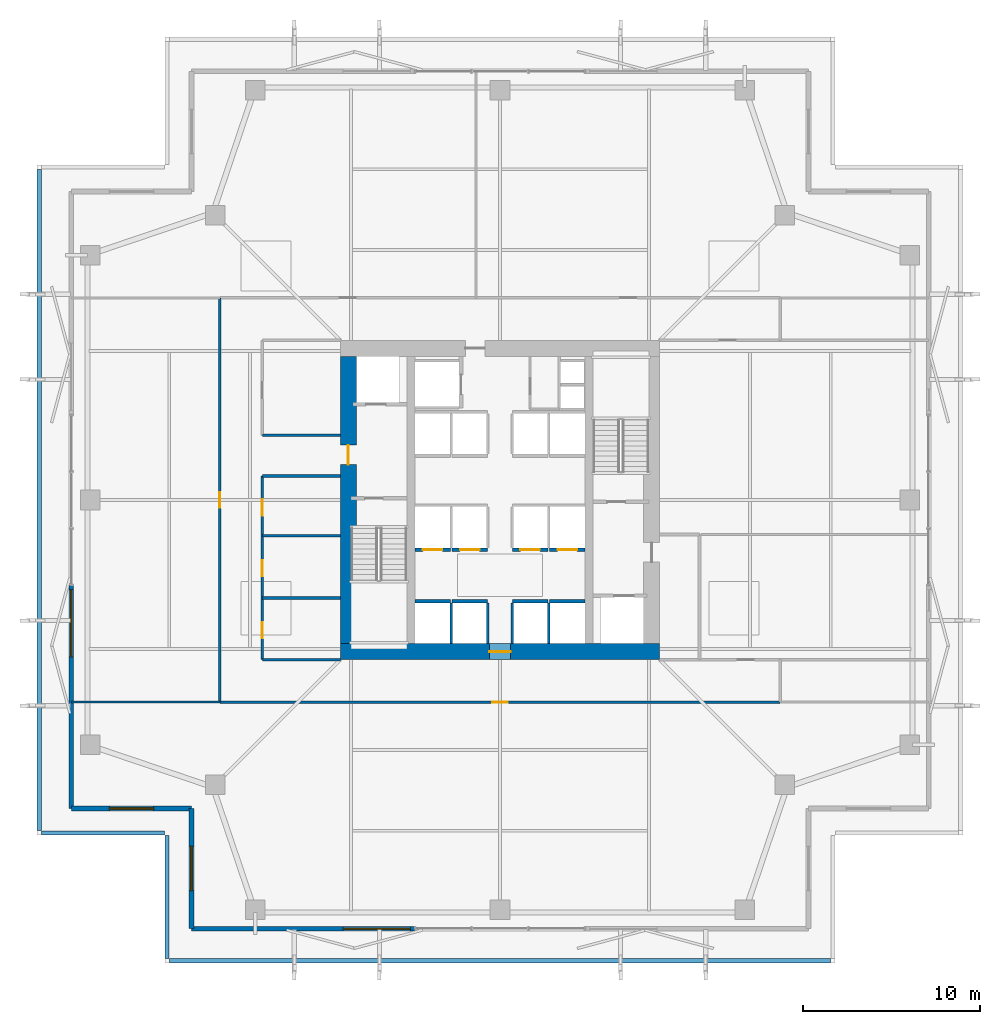
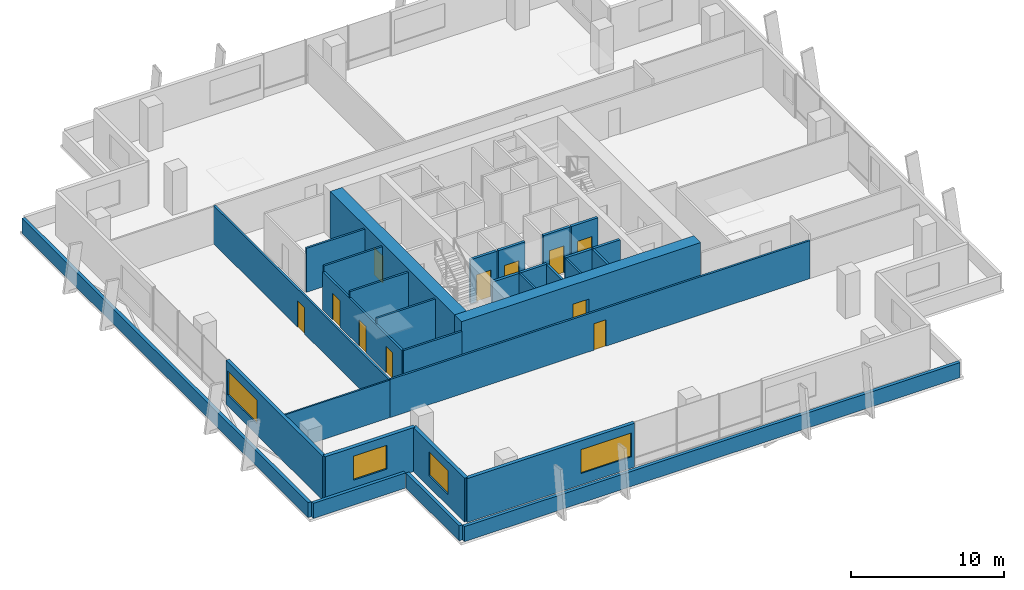
# One storey, part 12 of 16: 31 walls, 11 doors, 4 windows, 15 openings.
"""IFC4 building model written with IfcOpenShell, lengths in metres."""

import ifcopenshell
import ifcopenshell.guid

model = None  # the IFC model being written
_history = None  # IfcOwnerHistory: only IFC2X3 demands one
_inside = {}  # id of a spatial element -> (the spatial element, [elements in it])
_under = {}  # id of a project, library or spatial element -> (it, [spatial elements below it])
_declared = {}  # id of a project -> (the project, [libraries it declares])
_typed = {}  # id of a type object -> (the type object, [elements of that type])
_made_of = {}  # id of a material, layer set ... -> (it, [elements and type objects made of it])


def new_model(schema):
    """Start an empty IFC model of exactly this schema.

    Asked for "IFC4X3", IfcOpenShell would pick the latest addendum, in which some entities
    have other attributes; the version numbers below select the first issue.
    IFC2X3 requires an IfcOwnerHistory on every rooted entity: one is made here for all.
    """
    global model, _history
    if schema == "IFC4X3":
        model = ifcopenshell.file(schema_version=(4, 3, 0, 0))
    else:
        model = ifcopenshell.file(schema=schema)
    _inside.clear()
    _under.clear()
    _declared.clear()
    _typed.clear()
    _made_of.clear()
    _history = None
    if model.schema == "IFC2X3":
        org = make("IfcOrganization", Name="unknown")
        user = make(
            "IfcPersonAndOrganization",
            ThePerson=make("IfcPerson", FamilyName="unknown"),
            TheOrganization=org,
        )
        app = make(
            "IfcApplication",
            ApplicationDeveloper=org,
            Version="unknown",
            ApplicationFullName="unknown",
            ApplicationIdentifier="unknown",
        )
        _history = make(
            "IfcOwnerHistory",
            OwningUser=user,
            OwningApplication=app,
            ChangeAction="ADDED",
            CreationDate=0,
        )
    return model


def make(cls, **values):
    """One entity of the class cls with the attributes given. An attribute that is None is left unset."""
    return model.create_entity(
        cls, **{name: value for name, value in values.items() if value is not None}
    )


def rooted(cls, **values):
    """An entity with a GlobalId (a new one), such as an element, a storey or a relation."""
    return make(cls, GlobalId=ifcopenshell.guid.new(), OwnerHistory=_history, **values)


def si_unit(unit_type, name, prefix=None):
    """IfcSIUnit, for example si_unit("LENGTHUNIT", "METRE", prefix="MILLI")."""
    return make("IfcSIUnit", UnitType=unit_type, Prefix=prefix, Name=name)


def assignment(units):
    """IfcUnitAssignment: the units of a project."""
    return None if units is None else make("IfcUnitAssignment", Units=units)


def point(xyz):
    """IfcCartesianPoint."""
    return None if xyz is None else make("IfcCartesianPoint", Coordinates=xyz)


def direction(xyz):
    """IfcDirection."""
    return None if xyz is None else make("IfcDirection", DirectionRatios=xyz)


def frame(location, z_axis=None, x_axis=None):
    """IfcAxis2Placement3D, a coordinate frame: its origin and axes. An axis left out is left unset."""
    return make(
        "IfcAxis2Placement3D",
        Location=point(location),
        Axis=direction(z_axis),
        RefDirection=direction(x_axis),
    )


def frame_2d(location, x_axis=None):
    """IfcAxis2Placement2D, a coordinate frame in the plane: its origin and x axis."""
    return make(
        "IfcAxis2Placement2D", Location=point(location), RefDirection=direction(x_axis)
    )


def origin():
    """The frame at (0, 0, 0) with its axes left unset."""
    return frame((0.0, 0.0, 0.0))


def place(relative_to, where):
    """IfcLocalPlacement: puts the frame where relative to a parent placement (None: the world)."""
    return make(
        "IfcLocalPlacement", PlacementRelTo=relative_to, RelativePlacement=where
    )


def context(
    kind, dimensions, precision=None, world=None, true_north=None, identifier=None
):
    """IfcGeometricRepresentationContext, for example the 3D "Model" context."""
    return make(
        "IfcGeometricRepresentationContext",
        ContextIdentifier=identifier,
        ContextType=kind,
        CoordinateSpaceDimension=dimensions,
        Precision=precision,
        WorldCoordinateSystem=world,
        TrueNorth=true_north,
    )


def subcontext(parent, identifier, kind, view, scale=None):
    """IfcGeometricRepresentationSubContext, for example "Body" below "Model"."""
    return make(
        "IfcGeometricRepresentationSubContext",
        ContextIdentifier=identifier,
        ContextType=kind,
        ParentContext=parent,
        TargetScale=scale,
        TargetView=view,
    )


def project(units=None, contexts=None):
    """IfcProject with its units and contexts."""
    return rooted(
        "IfcProject",
        Name="project",
        RepresentationContexts=contexts,
        UnitsInContext=assignment(units),
    )


def spatial(cls, under=None, at=None, **own):
    """A site, building, storey or space (cls), placed at a placement, below another one or the project."""
    s = rooted(cls, ObjectPlacement=at, **own)
    if under is not None:
        _under.setdefault(under.id(), (under, []))[1].append(s)
    return s


def profile(cls, at=None, kind="AREA", **sizes):
    """A parametric profile (cls). Its sizes go by their IFC names, for example OverallWidth=200.0."""
    return make(cls, ProfileType=kind, Position=at, **sizes)


def rectangle(**sizes):
    """IfcRectangleProfileDef."""
    return profile("IfcRectangleProfileDef", **sizes)


def extrude(swept, where, along, depth):
    """IfcExtrudedAreaSolid: the profile swept, set in the frame where, extruded along a direction by depth."""
    return make(
        "IfcExtrudedAreaSolid",
        SweptArea=swept,
        Position=where,
        ExtrudedDirection=direction(along),
        Depth=depth,
    )


def shape(context_of_items, identifier, shape_type, items):
    """IfcShapeRepresentation: the items that make up one representation, for example the "Body"."""
    return make(
        "IfcShapeRepresentation",
        ContextOfItems=context_of_items,
        RepresentationIdentifier=identifier,
        RepresentationType=shape_type,
        Items=items,
    )


def material(Name=None, Category=None):
    """IfcMaterial."""
    return make("IfcMaterial", Name=Name, Category=Category)


def layer(
    of_material, thickness, ventilated=None, Name=None, Category=None, Priority=None
):
    """IfcMaterialLayer: one layer of a wall or slab, of a material (None: an air gap)."""
    return make(
        "IfcMaterialLayer",
        Material=of_material,
        LayerThickness=thickness,
        IsVentilated=ventilated,
        Name=Name,
        Category=Category,
        Priority=Priority,
    )


def layer_set(layers, Name=None):
    """IfcMaterialLayerSet."""
    return make("IfcMaterialLayerSet", MaterialLayers=layers, LayerSetName=Name)


def made_of(thing, what):
    """Note that an element or type object is made of a material, layer set ...; save() writes the relation."""
    if what is not None:
        _made_of.setdefault(what.id(), (what, []))[1].append(thing)
    return thing


def type_object(cls, material=None, **own):
    """A type object (cls), such as IfcWallType, which elements share."""
    return made_of(rooted(cls, **own), material)


def element(
    cls,
    number,
    at=None,
    inside=None,
    cuts=None,
    type_object=None,
    material=None,
    context=None,
    identifier="Body",
    shape_type=None,
    held_by="IfcProductDefinitionShape",
    body=None,
    shapes=None,
    **own,
):
    """One element of the class cls, such as IfcWall. Its Tag is "e" and its number.

    at: its placement. inside: the storey or other place that contains it. cuts: it is an
    opening in that element (IfcRelVoidsElement). A single representation is given by context,
    identifier, shape_type and body (its items); several are given by shapes. held_by: the class
    of the entity that holds the representations. save() writes the other relations.
    """
    e = rooted(cls, Tag="e%d" % number, ObjectPlacement=at, **own)
    if body is not None:
        shapes = [shape(context, identifier, shape_type, body)]
    if shapes is not None:
        e.Representation = make(held_by, Representations=shapes)
    if inside is not None:
        _inside.setdefault(inside.id(), (inside, []))[1].append(e)
    if cuts is not None:
        rooted(
            "IfcRelVoidsElement", RelatingBuildingElement=cuts, RelatedOpeningElement=e
        )
    if type_object is not None:
        _typed.setdefault(type_object.id(), (type_object, []))[1].append(e)
    return made_of(e, material)


def fill(opening, filler):
    """IfcRelFillsElement: the door or window that sits in an opening."""
    return rooted(
        "IfcRelFillsElement",
        RelatingOpeningElement=opening,
        RelatedBuildingElement=filler,
    )


def aggregate(whole, parts):
    """IfcRelAggregates: a whole, such as a stair, and the parts it consists of."""
    return rooted("IfcRelAggregates", RelatingObject=whole, RelatedObjects=parts)


def save(model, path):
    """Write the relations noted so far, then the file.

    IfcRelAggregates (storeys below a building ...), IfcRelContainedInSpatialStructure (elements
    in a storey), IfcRelDefinesByType, IfcRelAssociatesMaterial and IfcRelDeclares: one each for
    every whole, place, type object, material and project.
    """
    for whole, parts in _under.values():
        aggregate(whole, parts)
    for where, things in _inside.values():
        rooted(
            "IfcRelContainedInSpatialStructure",
            RelatedElements=things,
            RelatingStructure=where,
        )
    for kind, things in _typed.values():
        rooted("IfcRelDefinesByType", RelatedObjects=things, RelatingType=kind)
    for what, things in _made_of.values():
        rooted("IfcRelAssociatesMaterial", RelatedObjects=things, RelatingMaterial=what)
    for by, libraries in _declared.values():
        rooted("IfcRelDeclares", RelatingContext=by, RelatedDefinitions=libraries)
    model.write(path)


model = new_model("IFC4")

# Units and contexts
model_context = context("Model", 3, precision=1e-05, world=origin(), true_north=direction((0.0, 1.0)))
body_context = subcontext(model_context, "Body", "Model", "MODEL_VIEW")
ifc_project = project(units=[si_unit("LENGTHUNIT", "METRE"), si_unit("AREAUNIT", "SQUARE_METRE"), si_unit("VOLUMEUNIT", "CUBIC_METRE"), si_unit("PLANEANGLEUNIT", "RADIAN"), si_unit("MASSUNIT", "GRAM", prefix="KILO")], contexts=[model_context])

# Site, building, storey
site_placement = place(None, origin())
site = spatial("IfcSite", under=ifc_project, at=site_placement, CompositionType="ELEMENT")
building_placement = place(site_placement, origin())
building = spatial("IfcBuilding", under=site, at=building_placement, Name="Belovzor Exchange Tower", CompositionType="ELEMENT")
storey_placement = place(building_placement, frame((0.0, 0.0, 138.300048828125)))
storey = spatial("IfcBuildingStorey", under=building, at=storey_placement, Name="L33", CompositionType="ELEMENT", Elevation=138.300048828125)

# Walls
ifc_material_1 = material(Name="Acoustic Plasterboard on Galvanised Studs", Category="gypsum")
ifc_layer_1 = layer(ifc_material_1, 0.1201171875)
ifc_layer_set_1 = layer_set([ifc_layer_1], Name="Acoustic Plasterboard on Galvanised Studs")
wall_type_1 = type_object("IfcWallType", Name="Acoustic Double-Stud Partition Wall 120", PredefinedType="PARTITIONING", material=ifc_layer_set_1)
wall_1_placement = place(storey_placement, frame((4.6298828125, 17.39990234375, 0.0), z_axis=(0.0, 0.0, 1.0), x_axis=(1.0, 0.0, 0.0)))
element("IfcWall", 1, at=wall_1_placement, inside=storey, type_object=wall_type_1, Name="W-P120 Partition Wall W-L33-END-SW", PredefinedType="PARTITIONING", context=body_context, shape_type="SweptSolid", body=[
    extrude(rectangle(XDim=8.3701171875, YDim=0.1201171875, at=frame_2d((4.18505859375, 0.0))), origin(), (0.0, 0.0, 1.0), 2.97998046875),
])
ifc_material_2 = material(Name="Fire-Rated Gypsum Block and Mineral Wool", Category="gypsum")
ifc_layer_2 = layer(ifc_material_2, 0.14990234375)
ifc_layer_set_2 = layer_set([ifc_layer_2], Name="Fire-Rated Gypsum Block and Mineral Wool")
wall_type_2 = type_object("IfcWallType", Name="Fire-Rated Gypsum Block Corridor Wall 150", PredefinedType="PARTITIONING", material=ifc_layer_set_2)
wall_2_placement = place(storey_placement, frame((15.39990234375, 19.800048828125, 0.0), z_axis=(0.0, 0.0, 1.0), x_axis=(1.0, 0.0, 0.0)))
element("IfcWall", 2, at=wall_2_placement, inside=storey, type_object=wall_type_2, Name="W-P150 Partition Wall W-L33-WIC-S", PredefinedType="PARTITIONING", context=body_context, shape_type="SweptSolid", body=[
    extrude(rectangle(XDim=4.400146484375, YDim=0.14990234375, at=frame_2d((2.2001953125, 0.0))), origin(), (0.0, 0.0, 1.0), 3.030029296875),
])
for number, where, z_axis, x_axis, name in (
    (3, (15.39990234375, 23.27490234375, 0.0), (0.0, 0.0, 1.0), (1.0, 0.0, 0.0), "W-P150 Partition Wall W-L33-WIC-D1"),
    (4, (15.39990234375, 26.77490234375, 0.0), (0.0, 0.0, 1.0), (1.0, 0.0, 0.0), "W-P150 Partition Wall W-L33-WIC-D2"),
    (5, (15.39990234375, 30.14990234375, 0.0), (0.0, 0.0, 1.0), (1.0, 0.0, 0.0), "W-P150 Partition Wall W-L33-WIC-N"),
    (6, (15.39990234375, 32.449951171875, 0.0), (0.0, 0.0, 1.0), (1.0, 0.0, 0.0), "W-P150 Partition Wall W-L33-CFW-N"),
):
    element("IfcWall", number, at=place(storey_placement, frame(where, z_axis=z_axis, x_axis=x_axis)), inside=storey, type_object=wall_type_2, Name=name, PredefinedType="PARTITIONING", context=body_context, shape_type="SweptSolid", body=[
        extrude(rectangle(XDim=4.400146484375, YDim=0.14990234375, at=frame_2d((2.2001953125, 0.0))), origin(), (0.0, 0.0, 1.0), 3.494873046875),
    ])

# Wall, openings, doors
wall_3_placement = place(storey_placement, frame((15.39990234375, 19.800048828125, 0.0), z_axis=(0.0, 0.0, 1.0), x_axis=(0.0, 1.0, 0.0)))
wall_3 = element("IfcWall", 7, at=wall_3_placement, inside=storey, type_object=wall_type_2, Name="W-P150 Partition Wall W-L33-WIE-S", PredefinedType="PARTITIONING", context=body_context, shape_type="SweptSolid", body=[
    extrude(rectangle(XDim=10.349853515625, YDim=0.14990234375, at=frame_2d((5.1748046875, 0.0))), origin(), (0.0, 0.0, 1.0), 3.030029296875),
])
opening_1_placement = place(wall_3_placement, frame((1.199951171875, 0.0, 0.0)))
opening_1 = element("IfcOpeningElement", 8, at=opening_1_placement, cuts=wall_3, Name="Opening D-FD60-090", PredefinedType="OPENING", context=body_context, shape_type="SweptSolid", body=[
    extrude(rectangle(XDim=0.89990234375, YDim=2.10009765625, at=frame_2d((0.449951171875, 1.050048828125))), frame((0.0, 0.0849609375, 0.0), z_axis=(0.0, -1.0, 0.0), x_axis=(1.0, 0.0, 0.0)), (0.0, 0.0, 1.0), 0.169921875),
])
opening_2_placement = place(wall_3_placement, frame((4.699951171875, 0.0, 0.0)))
opening_2 = element("IfcOpeningElement", 9, at=opening_2_placement, cuts=wall_3, Name="Opening D-FD60-090", PredefinedType="OPENING", context=body_context, shape_type="SweptSolid", body=[
    extrude(rectangle(XDim=0.89990234375, YDim=2.10009765625, at=frame_2d((0.449951171875, 1.050048828125))), frame((0.0, 0.0849609375, 0.0), z_axis=(0.0, -1.0, 0.0), x_axis=(1.0, 0.0, 0.0)), (0.0, 0.0, 1.0), 0.169921875),
])
opening_3_placement = place(wall_3_placement, frame((8.10009765625, 0.0, 0.0)))
opening_3 = element("IfcOpeningElement", 10, at=opening_3_placement, cuts=wall_3, Name="Opening D-FD60-095", PredefinedType="OPENING", context=body_context, shape_type="SweptSolid", body=[
    extrude(rectangle(XDim=0.949951171875, YDim=2.10009765625, at=frame_2d((0.47509765625, 1.050048828125))), frame((0.0, 0.0849609375, 0.0), z_axis=(0.0, -1.0, 0.0), x_axis=(1.0, 0.0, 0.0)), (0.0, 0.0, 1.0), 0.169921875),
])
ifc_material_3 = material(Name="Moisture-Resistant Timber Fire Leaf", Category="wood")
door_type_1 = type_object("IfcDoorType", Name="Accessible Restroom Wide Fire Door 950x2100", OperationType="NOTDEFINED", PredefinedType="DOOR", material=ifc_material_3)
door_1_placement = place(opening_3_placement, origin())
door_1 = element("IfcDoor", 11, at=door_1_placement, inside=storey, type_object=door_type_1, Name="D-FD60-095 Accessible Restroom Wide Fire Door 950x2100", OperationType="SINGLE_SWING_LEFT", OverallHeight=2.10009765625, OverallWidth=0.949951171875, PredefinedType="DOOR", context=body_context, shape_type="SweptSolid", body=[
    extrude(rectangle(XDim=0.949951171875, YDim=2.10009765625, at=frame_2d((0.47509765625, 1.050048828125))), frame((0.0, 0.02490234375, 0.0), z_axis=(0.0, -1.0, 0.0), x_axis=(1.0, 0.0, 0.0)), (0.0, 0.0, 1.0), 0.050048828125),
])
fill(opening_3, door_1)
ifc_material_4 = material(Name="Acoustic Timber Fire Leaf", Category="wood")
door_type_2 = type_object("IfcDoorType", Name="Core Service & Restroom Fire Door 900x2100", OperationType="NOTDEFINED", PredefinedType="DOOR", material=ifc_material_4)
door_2_placement = place(opening_1_placement, origin())
door_2 = element("IfcDoor", 12, at=door_2_placement, inside=storey, type_object=door_type_2, Name="D-FD60-090 Core Service & Restroom Fire Door 900x2100", OperationType="SINGLE_SWING_LEFT", OverallHeight=2.10009765625, OverallWidth=0.89990234375, PredefinedType="DOOR", context=body_context, shape_type="SweptSolid", body=[
    extrude(rectangle(XDim=0.89990234375, YDim=2.10009765625, at=frame_2d((0.449951171875, 1.050048828125))), frame((0.0, 0.02490234375, 0.0), z_axis=(0.0, -1.0, 0.0), x_axis=(1.0, 0.0, 0.0)), (0.0, 0.0, 1.0), 0.050048828125),
])
fill(opening_1, door_2)
door_3_placement = place(opening_2_placement, origin())
door_3 = element("IfcDoor", 13, at=door_3_placement, inside=storey, type_object=door_type_2, Name="D-FD60-090 Core Service & Restroom Fire Door 900x2100", OperationType="SINGLE_SWING_RIGHT", OverallHeight=2.10009765625, OverallWidth=0.89990234375, PredefinedType="DOOR", context=body_context, shape_type="SweptSolid", body=[
    extrude(rectangle(XDim=0.89990234375, YDim=2.10009765625, at=frame_2d((0.449951171875, 1.050048828125))), frame((0.0, 0.02490234375, 0.0), z_axis=(0.0, -1.0, 0.0), x_axis=(1.0, 0.0, 0.0)), (0.0, 0.0, 1.0), 0.050048828125),
])
fill(opening_2, door_3)

# Wall, opening, door
wall_4_placement = place(storey_placement, frame((13.0, 17.39990234375, 0.0), z_axis=(0.0, 0.0, 1.0), x_axis=(1.0, 0.0, 0.0)))
wall_4 = element("IfcWall", 14, at=wall_4_placement, inside=storey, type_object=wall_type_2, Name="W-P150 Partition Wall W-L33-CS", PredefinedType="PARTITIONING", context=body_context, shape_type="SweptSolid", body=[
    extrude(rectangle(XDim=31.60009765625, YDim=0.14990234375, at=frame_2d((15.800048828125, 0.0))), origin(), (0.0, 0.0, 1.0), 3.030029296875),
])
opening_4_placement = place(wall_4_placement, frame((15.35009765625, 0.0, 0.0)))
opening_4 = element("IfcOpeningElement", 15, at=opening_4_placement, cuts=wall_4, Name="Opening D-INT-090", PredefinedType="OPENING", context=body_context, shape_type="SweptSolid", body=[
    extrude(rectangle(XDim=0.89990234375, YDim=2.10009765625, at=frame_2d((0.449951171875, 1.050048828125))), frame((0.0, 0.0849609375, 0.0), z_axis=(0.0, -1.0, 0.0), x_axis=(1.0, 0.0, 0.0)), (0.0, 0.0, 1.0), 0.169921875),
])
ifc_material_5 = material(Name="Veneered Hardwood Acoustic Leaf", Category="wood")
door_type_3 = type_object("IfcDoorType", Name="Trading Suite Acoustic Single Door 900x2100", OperationType="NOTDEFINED", PredefinedType="DOOR", material=ifc_material_5)
door_4_placement = place(opening_4_placement, origin())
door_4 = element("IfcDoor", 16, at=door_4_placement, inside=storey, type_object=door_type_3, Name="D-INT-090 Trading Suite Acoustic Single Door 900x2100", OperationType="SINGLE_SWING_LEFT", OverallHeight=2.10009765625, OverallWidth=0.89990234375, PredefinedType="DOOR", context=body_context, shape_type="SweptSolid", body=[
    extrude(rectangle(XDim=0.89990234375, YDim=2.10009765625, at=frame_2d((0.449951171875, 1.050048828125))), frame((0.0, 0.02490234375, 0.0), z_axis=(0.0, -1.0, 0.0), x_axis=(1.0, 0.0, 0.0)), (0.0, 0.0, 1.0), 0.050048828125),
])
fill(opening_4, door_4)

wall_5_placement = place(storey_placement, frame((13.0, 17.39990234375, 0.0), z_axis=(0.0, 0.0, 1.0), x_axis=(0.0, 1.0, 0.0)))
wall_5 = element("IfcWall", 17, at=wall_5_placement, inside=storey, type_object=wall_type_2, Name="W-P150 Partition Wall W-L33-CWO", PredefinedType="PARTITIONING", context=body_context, shape_type="SweptSolid", body=[
    extrude(rectangle(XDim=22.800048828125, YDim=0.14990234375, at=frame_2d((11.39990234375, 0.0))), origin(), (0.0, 0.0, 1.0), 3.030029296875),
])
opening_5_placement = place(wall_5_placement, frame((10.949951171875, 0.0, 0.0)))
opening_5 = element("IfcOpeningElement", 18, at=opening_5_placement, cuts=wall_5, Name="Opening D-INT-090", PredefinedType="OPENING", context=body_context, shape_type="SweptSolid", body=[
    extrude(rectangle(XDim=0.89990234375, YDim=2.10009765625, at=frame_2d((0.449951171875, 1.050048828125))), frame((0.0, 0.0849609375, 0.0), z_axis=(0.0, -1.0, 0.0), x_axis=(1.0, 0.0, 0.0)), (0.0, 0.0, 1.0), 0.169921875),
])
door_5_placement = place(opening_5_placement, origin())
door_5 = element("IfcDoor", 19, at=door_5_placement, inside=storey, type_object=door_type_3, Name="D-INT-090 Trading Suite Acoustic Single Door 900x2100", OperationType="SINGLE_SWING_LEFT", OverallHeight=2.10009765625, OverallWidth=0.89990234375, PredefinedType="DOOR", context=body_context, shape_type="SweptSolid", body=[
    extrude(rectangle(XDim=0.89990234375, YDim=2.10009765625, at=frame_2d((0.449951171875, 1.050048828125))), frame((0.0, 0.02490234375, 0.0), z_axis=(0.0, -1.0, 0.0), x_axis=(1.0, 0.0, 0.0)), (0.0, 0.0, 1.0), 0.050048828125),
])
fill(opening_5, door_5)

# Wall, opening, window
ifc_material_6 = material(Name="Precast concrete C40/50", Category="concrete")
ifc_layer_3 = layer(ifc_material_6, 0.280029296875)
ifc_layer_set_3 = layer_set([ifc_layer_3], Name="Precast concrete C40/50")
wall_type_3 = type_object("IfcWallType", Name="Precast Concrete Notched Corner Frame Wall 280", PredefinedType="SOLIDWALL", material=ifc_layer_set_3)
wall_6_placement = place(storey_placement, frame((11.39990234375, 4.6298828125, 0.0), z_axis=(0.0, 0.0, 1.0), x_axis=(0.0, 1.0, 0.0)))
wall_6 = element("IfcWall", 20, at=wall_6_placement, inside=storey, type_object=wall_type_3, Name="W-CRN280 Precast Concrete Notched Corner Frame Wall 280 L33", PredefinedType="SOLIDWALL", context=body_context, shape_type="SweptSolid", body=[
    extrude(rectangle(XDim=6.77001953125, YDim=0.280029296875, at=frame_2d((3.385009765625, 0.0))), origin(), (0.0, 0.0, 1.0), 3.494873046875),
])
opening_6_placement = place(wall_6_placement, frame((2.135009765625, 0.0, 0.89990234375)))
opening_6 = element("IfcOpeningElement", 21, at=opening_6_placement, cuts=wall_6, Name="Opening WN-CRN250", PredefinedType="OPENING", context=body_context, shape_type="SweptSolid", body=[
    extrude(rectangle(XDim=2.5, YDim=1.89990234375, at=frame_2d((1.25, 0.949951171875))), frame((0.0, 0.14990234375, 0.0), z_axis=(0.0, -1.0, 0.0), x_axis=(1.0, 0.0, 0.0)), (0.0, 0.0, 1.0), 0.300048828125),
])
ifc_material_7 = material(Name="Thermally Broken Aluminium and Triple Glazing", Category="aluminium")
window_type_1 = type_object("IfcWindowType", Name="Streamline Moderne Corner Wrap Ribbon Window 2500x1900", PartitioningType="SINGLE_PANEL", PredefinedType="WINDOW", material=ifc_material_7)
window_1_placement = place(opening_6_placement, origin())
window_1 = element("IfcWindow", 22, at=window_1_placement, inside=storey, type_object=window_type_1, Name="WN-CRN250 Streamline Moderne Corner Wrap Ribbon Window 2500x1900", OverallHeight=1.89990234375, OverallWidth=2.5, PartitioningType="SINGLE_PANEL", PredefinedType="WINDOW", context=body_context, shape_type="SweptSolid", body=[
    extrude(rectangle(XDim=2.5, YDim=1.89990234375, at=frame_2d((1.25, 0.949951171875))), frame((0.0, 0.030029296875, 0.0), z_axis=(0.0, -1.0, 0.0), x_axis=(1.0, 0.0, 0.0)), (0.0, 0.0, 1.0), 0.06005859375),
])
fill(opening_6, window_1)

wall_7_placement = place(storey_placement, frame((11.39990234375, 11.39990234375, 0.0), z_axis=(0.0, 0.0, 1.0), x_axis=(-1.0, 0.0, 0.0)))
wall_7 = element("IfcWall", 23, at=wall_7_placement, inside=storey, type_object=wall_type_3, Name="W-CRN280 Precast Concrete Notched Corner Frame Wall 280 L33", PredefinedType="SOLIDWALL", context=body_context, shape_type="SweptSolid", body=[
    extrude(rectangle(XDim=6.77001953125, YDim=0.280029296875, at=frame_2d((3.385009765625, 0.0))), origin(), (0.0, 0.0, 1.0), 3.494873046875),
])
opening_7_placement = place(wall_7_placement, frame((2.135009765625, 0.0, 0.89990234375)))
opening_7 = element("IfcOpeningElement", 24, at=opening_7_placement, cuts=wall_7, Name="Opening WN-CRN250", PredefinedType="OPENING", context=body_context, shape_type="SweptSolid", body=[
    extrude(rectangle(XDim=2.5, YDim=1.89990234375, at=frame_2d((1.25, 0.949951171875))), frame((0.0, 0.14990234375, 0.0), z_axis=(0.0, -1.0, 0.0), x_axis=(1.0, 0.0, 0.0)), (0.0, 0.0, 1.0), 0.300048828125),
])
window_2_placement = place(opening_7_placement, origin())
window_2 = element("IfcWindow", 25, at=window_2_placement, inside=storey, type_object=window_type_1, Name="WN-CRN250 Streamline Moderne Corner Wrap Ribbon Window 2500x1900", OverallHeight=1.89990234375, OverallWidth=2.5, PartitioningType="SINGLE_PANEL", PredefinedType="WINDOW", context=body_context, shape_type="SweptSolid", body=[
    extrude(rectangle(XDim=2.5, YDim=1.89990234375, at=frame_2d((1.25, 0.949951171875))), frame((0.0, 0.030029296875, 0.0), z_axis=(0.0, -1.0, 0.0), x_axis=(1.0, 0.0, 0.0)), (0.0, 0.0, 1.0), 0.06005859375),
])
fill(opening_7, window_2)

ifc_material_8 = material(Name="Precast concrete C40/50", Category="concrete")
ifc_layer_4 = layer(ifc_material_8, 0.260009765625)
ifc_layer_set_4 = layer_set([ifc_layer_4], Name="Precast concrete C40/50")
wall_type_4 = type_object("IfcWallType", Name="Precast Concrete Perimeter Loggia Frame Wall 260", PredefinedType="SOLIDWALL", material=ifc_layer_set_4)
wall_8_placement = place(storey_placement, frame((24.0, 4.6298828125, 0.0), z_axis=(0.0, 0.0, 1.0), x_axis=(-1.0, 0.0, 0.0)))
wall_8 = element("IfcWall", 26, at=wall_8_placement, inside=storey, type_object=wall_type_4, Name="W-EXT260 Precast Concrete Perimeter Loggia Frame Wall 260 L33", PredefinedType="SOLIDWALL", context=body_context, shape_type="SweptSolid", body=[
    extrude(rectangle(XDim=12.60009765625, YDim=0.260009765625, at=frame_2d((6.300048828125, 0.0))), origin(), (0.0, 0.0, 1.0), 3.494873046875),
])
opening_8_placement = place(wall_8_placement, frame((0.25, 0.0, 0.89990234375)))
opening_8 = element("IfcOpeningElement", 27, at=opening_8_placement, cuts=wall_8, Name="Opening WN-RIB380", PredefinedType="OPENING", context=body_context, shape_type="SweptSolid", body=[
    extrude(rectangle(XDim=3.800048828125, YDim=1.89990234375, at=frame_2d((1.89990234375, 0.949951171875))), frame((0.0, 0.139892578125, 0.0), z_axis=(0.0, -1.0, 0.0), x_axis=(1.0, 0.0, 0.0)), (0.0, 0.0, 1.0), 0.280029296875),
])
ifc_material_9 = material(Name="Thermally Broken Aluminium and Triple Glazing", Category="aluminium")
window_type_2 = type_object("IfcWindowType", Name="Streamline Moderne Horizontal Ribbon Window 3800x1900", PartitioningType="SINGLE_PANEL", PredefinedType="WINDOW", material=ifc_material_9)
window_3_placement = place(opening_8_placement, origin())
window_3 = element("IfcWindow", 28, at=window_3_placement, inside=storey, type_object=window_type_2, Name="WN-RIB380 Streamline Moderne Horizontal Ribbon Window 3800x1900", OverallHeight=1.89990234375, OverallWidth=3.800048828125, PartitioningType="SINGLE_PANEL", PredefinedType="WINDOW", context=body_context, shape_type="SweptSolid", body=[
    extrude(rectangle(XDim=3.800048828125, YDim=1.89990234375, at=frame_2d((1.89990234375, 0.949951171875))), frame((0.0, 0.030029296875, 0.0), z_axis=(0.0, -1.0, 0.0), x_axis=(1.0, 0.0, 0.0)), (0.0, 0.0, 1.0), 0.06005859375),
])
fill(opening_8, window_3)

wall_9_placement = place(storey_placement, frame((4.6298828125, 11.39990234375, 0.0), z_axis=(0.0, 0.0, 1.0), x_axis=(0.0, 1.0, 0.0)))
wall_9 = element("IfcWall", 29, at=wall_9_placement, inside=storey, type_object=wall_type_4, Name="W-EXT260 Precast Concrete Perimeter Loggia Frame Wall 260 L33", PredefinedType="SOLIDWALL", context=body_context, shape_type="SweptSolid", body=[
    extrude(rectangle(XDim=12.60009765625, YDim=0.260009765625, at=frame_2d((6.300048828125, 0.0))), origin(), (0.0, 0.0, 1.0), 3.494873046875),
])
opening_9_placement = place(wall_9_placement, frame((8.550048828125, 0.0, 0.89990234375)))
opening_9 = element("IfcOpeningElement", 30, at=opening_9_placement, cuts=wall_9, Name="Opening WN-RIB380", PredefinedType="OPENING", context=body_context, shape_type="SweptSolid", body=[
    extrude(rectangle(XDim=3.800048828125, YDim=1.89990234375, at=frame_2d((1.89990234375, 0.949951171875))), frame((0.0, 0.139892578125, 0.0), z_axis=(0.0, -1.0, 0.0), x_axis=(1.0, 0.0, 0.0)), (0.0, 0.0, 1.0), 0.280029296875),
])
window_4_placement = place(opening_9_placement, origin())
window_4 = element("IfcWindow", 31, at=window_4_placement, inside=storey, type_object=window_type_2, Name="WN-RIB380 Streamline Moderne Horizontal Ribbon Window 3800x1900", OverallHeight=1.89990234375, OverallWidth=3.800048828125, PartitioningType="SINGLE_PANEL", PredefinedType="WINDOW", context=body_context, shape_type="SweptSolid", body=[
    extrude(rectangle(XDim=3.800048828125, YDim=1.89990234375, at=frame_2d((1.89990234375, 0.949951171875))), frame((0.0, 0.030029296875, 0.0), z_axis=(0.0, -1.0, 0.0), x_axis=(1.0, 0.0, 0.0)), (0.0, 0.0, 1.0), 0.06005859375),
])
fill(opening_9, window_4)

# Walls
ifc_material_10 = material(Name="Precast concrete C40/50", Category="concrete")
ifc_layer_5 = layer(ifc_material_10, 0.239990234375)
ifc_layer_set_5 = layer_set([ifc_layer_5], Name="Precast concrete C40/50")
wall_type_5 = type_object("IfcWallType", Name="Precast Stone Setback Roof Parapet Wall 240", PredefinedType="PARAPET", material=ifc_layer_set_5)
for number, where, z_axis, x_axis, name in (
    (32, (10.155029296875, 2.820068359375, 0.0), (0.0, 0.0, 1.0), (1.0, 0.0, 0.0), "W-PAR240 Precast Stone Setback Roof Parapet Wall 240 L33"),
    (33, (2.820068359375, 47.445068359375, 0.0), (0.0, 0.0, 1.0), (0.0, -1.0, 0.0), "W-PAR240 Precast Stone Setback Roof Parapet Wall 240 L33"),
):
    element("IfcWall", number, at=place(storey_placement, frame(where, z_axis=z_axis, x_axis=x_axis)), inside=storey, type_object=wall_type_5, Name=name, PredefinedType="PARAPET", context=body_context, shape_type="SweptSolid", body=[
        extrude(rectangle(XDim=37.2900390625, YDim=0.239990234375, at=frame_2d((18.64501953125, 0.0))), origin(), (0.0, 0.0, 1.0), 1.199951171875),
    ])
for number, where, z_axis, x_axis, name in (
    (34, (2.955078125, 10.02001953125, 0.0), (0.0, 0.0, 1.0), (1.0, 0.0, 0.0), "W-PAR240 Precast Stone Setback Roof Parapet Wall 240 L33"),
    (35, (10.02001953125, 9.885009765625, 0.0), (0.0, 0.0, 1.0), (0.0, -1.0, 0.0), "W-PAR240 Precast Stone Setback Roof Parapet Wall 240 L33"),
):
    element("IfcWall", number, at=place(storey_placement, frame(where, z_axis=z_axis, x_axis=x_axis)), inside=storey, type_object=wall_type_5, Name=name, PredefinedType="PARAPET", context=body_context, shape_type="SweptSolid", body=[
        extrude(rectangle(XDim=6.929931640625, YDim=0.239990234375, at=frame_2d((3.46484375, 0.0))), origin(), (0.0, 0.0, 1.0), 1.199951171875),
    ])
ifc_material_11 = material(Name="Concrete C50/60", Category="concrete")
ifc_layer_6 = layer(ifc_material_11, 0.14990234375)
ifc_layer_set_6 = layer_set([ifc_layer_6], Name="Concrete C50/60")
wall_type_6 = type_object("IfcWallType", Name="Reinforced Concrete Core Riser Shear Wall 150", PredefinedType="SHEAR", material=ifc_layer_set_6)
for number, where, z_axis, x_axis, name in (
    (36, (26.050048828125, 20.719970703125, 0.0), (0.0, 0.0, 1.0), (0.0, 1.0, 0.0), "W-C150S Core Shaft Wall W-SHD-L33-PLL-1"),
    (37, (28.10009765625, 20.719970703125, 0.0), (0.0, 0.0, 1.0), (0.0, 1.0, 0.0), "W-C150S Core Shaft Wall W-SHD-L33-PLL-2"),
    (38, (29.5, 20.719970703125, 0.0), (0.0, 0.0, 1.0), (0.0, 1.0, 0.0), "W-C150S Core Shaft Wall W-SHD-L33-PLL-3"),
    (39, (31.550048828125, 20.719970703125, 0.0), (0.0, 0.0, 1.0), (0.0, 1.0, 0.0), "W-C150S Core Shaft Wall W-SHD-L33-PLL-4"),
):
    element("IfcWall", number, at=place(storey_placement, frame(where, z_axis=z_axis, x_axis=x_axis)), inside=storey, type_object=wall_type_6, Name=name, PredefinedType="SHEAR", context=body_context, shape_type="SweptSolid", body=[
        extrude(rectangle(XDim=2.260009765625, YDim=0.14990234375, at=frame_2d((1.1298828125, 0.0))), origin(), (0.0, 0.0, 1.0), 3.494873046875),
    ])
ifc_material_12 = material(Name="Concrete C50/60", Category="concrete")
ifc_layer_7 = layer(ifc_material_12, 0.199951171875)
ifc_layer_set_7 = layer_set([ifc_layer_7], Name="Concrete C50/60")
wall_type_7 = type_object("IfcWallType", Name="Reinforced Concrete Core Shaft Shear Wall 200", PredefinedType="SHEAR", material=ifc_layer_set_7)
for number, where, z_axis, x_axis, name in (
    (40, (24.0, 23.10009765625, 0.0), (0.0, 0.0, 1.0), (1.0, 0.0, 0.0), "W-C200S Core Shaft Wall W-SH-L33-PL-L1"),
    (41, (26.10009765625, 23.10009765625, 0.0), (0.0, 0.0, 1.0), (1.0, 0.0, 0.0), "W-C200S Core Shaft Wall W-SH-L33-PL-L2"),
    (42, (29.5, 23.10009765625, 0.0), (0.0, 0.0, 1.0), (1.0, 0.0, 0.0), "W-C200S Core Shaft Wall W-SH-L33-PL-L3"),
    (43, (31.60009765625, 23.10009765625, 0.0), (0.0, 0.0, 1.0), (1.0, 0.0, 0.0), "W-C200S Core Shaft Wall W-SH-L33-PL-L4"),
):
    element("IfcWall", number, at=place(storey_placement, frame(where, z_axis=z_axis, x_axis=x_axis)), inside=storey, type_object=wall_type_7, Name=name, PredefinedType="SHEAR", context=body_context, shape_type="SweptSolid", body=[
        extrude(rectangle(XDim=2.0, YDim=0.199951171875, at=frame_2d((1.0, 0.0))), origin(), (0.0, 0.0, 1.0), 3.494873046875),
    ])

# Wall, opening, door
wall_10_placement = place(storey_placement, frame((24.0, 26.0, 0.0), z_axis=(0.0, 0.0, 1.0), x_axis=(1.0, 0.0, 0.0)))
wall_10 = element("IfcWall", 44, at=wall_10_placement, inside=storey, type_object=wall_type_7, Name="W-C200S Core Shaft Wall W-SH-L33-PL-M1", PredefinedType="SHEAR", context=body_context, shape_type="SweptSolid", body=[
    extrude(rectangle(XDim=2.0, YDim=0.199951171875, at=frame_2d((1.0, 0.0))), origin(), (0.0, 0.0, 1.0), 3.494873046875),
])
opening_10_placement = place(wall_10_placement, frame((0.449951171875, 0.0, 0.0)))
opening_10 = element("IfcOpeningElement", 45, at=opening_10_placement, cuts=wall_10, Name="Opening LD-110", PredefinedType="OPENING", context=body_context, shape_type="SweptSolid", body=[
    extrude(rectangle(XDim=1.10009765625, YDim=2.14990234375, at=frame_2d((0.550048828125, 1.074951171875))), frame((0.0, 0.10986328125, 0.0), z_axis=(0.0, -1.0, 0.0), x_axis=(1.0, 0.0, 0.0)), (0.0, 0.0, 1.0), 0.219970703125),
])
ifc_material_13 = material(Name="Stainless Steel Grade 304", Category="steel")
door_type_4 = type_object("IfcDoorType", Name="Automated Stainless Steel Lift Landing Door 1100x2150", OperationType="SLIDING_TO_RIGHT", PredefinedType="DOOR", material=ifc_material_13)
door_6_placement = place(opening_10_placement, origin())
door_6 = element("IfcDoor", 46, at=door_6_placement, inside=storey, type_object=door_type_4, Name="LD-110 Automated Stainless Steel Lift Landing Door 1100x2150", OperationType="SLIDING_TO_RIGHT", OverallHeight=2.14990234375, OverallWidth=1.10009765625, PredefinedType="DOOR", context=body_context, shape_type="SweptSolid", body=[
    extrude(rectangle(XDim=1.10009765625, YDim=2.14990234375, at=frame_2d((0.550048828125, 1.074951171875))), frame((0.0, 0.02490234375, 0.0), z_axis=(0.0, -1.0, 0.0), x_axis=(1.0, 0.0, 0.0)), (0.0, 0.0, 1.0), 0.050048828125),
])
fill(opening_10, door_6)

wall_11_placement = place(storey_placement, frame((26.10009765625, 26.0, 0.0), z_axis=(0.0, 0.0, 1.0), x_axis=(1.0, 0.0, 0.0)))
wall_11 = element("IfcWall", 47, at=wall_11_placement, inside=storey, type_object=wall_type_7, Name="W-C200S Core Shaft Wall W-SH-L33-PL-M2", PredefinedType="SHEAR", context=body_context, shape_type="SweptSolid", body=[
    extrude(rectangle(XDim=2.0, YDim=0.199951171875, at=frame_2d((1.0, 0.0))), origin(), (0.0, 0.0, 1.0), 3.494873046875),
])
opening_11_placement = place(wall_11_placement, frame((0.449951171875, 0.0, 0.0)))
opening_11 = element("IfcOpeningElement", 48, at=opening_11_placement, cuts=wall_11, Name="Opening LD-110", PredefinedType="OPENING", context=body_context, shape_type="SweptSolid", body=[
    extrude(rectangle(XDim=1.10009765625, YDim=2.14990234375, at=frame_2d((0.550048828125, 1.074951171875))), frame((0.0, 0.10986328125, 0.0), z_axis=(0.0, -1.0, 0.0), x_axis=(1.0, 0.0, 0.0)), (0.0, 0.0, 1.0), 0.219970703125),
])
door_7_placement = place(opening_11_placement, origin())
door_7 = element("IfcDoor", 49, at=door_7_placement, inside=storey, type_object=door_type_4, Name="LD-110 Automated Stainless Steel Lift Landing Door 1100x2150", OperationType="SLIDING_TO_RIGHT", OverallHeight=2.14990234375, OverallWidth=1.10009765625, PredefinedType="DOOR", context=body_context, shape_type="SweptSolid", body=[
    extrude(rectangle(XDim=1.10009765625, YDim=2.14990234375, at=frame_2d((0.550048828125, 1.074951171875))), frame((0.0, 0.02490234375, 0.0), z_axis=(0.0, -1.0, 0.0), x_axis=(1.0, 0.0, 0.0)), (0.0, 0.0, 1.0), 0.050048828125),
])
fill(opening_11, door_7)

wall_12_placement = place(storey_placement, frame((29.5, 26.0, 0.0), z_axis=(0.0, 0.0, 1.0), x_axis=(1.0, 0.0, 0.0)))
wall_12 = element("IfcWall", 50, at=wall_12_placement, inside=storey, type_object=wall_type_7, Name="W-C200S Core Shaft Wall W-SH-L33-PL-M3", PredefinedType="SHEAR", context=body_context, shape_type="SweptSolid", body=[
    extrude(rectangle(XDim=2.0, YDim=0.199951171875, at=frame_2d((1.0, 0.0))), origin(), (0.0, 0.0, 1.0), 3.494873046875),
])
opening_12_placement = place(wall_12_placement, frame((0.449951171875, 0.0, 0.0)))
opening_12 = element("IfcOpeningElement", 51, at=opening_12_placement, cuts=wall_12, Name="Opening LD-110", PredefinedType="OPENING", context=body_context, shape_type="SweptSolid", body=[
    extrude(rectangle(XDim=1.10009765625, YDim=2.14990234375, at=frame_2d((0.550048828125, 1.074951171875))), frame((0.0, 0.10986328125, 0.0), z_axis=(0.0, -1.0, 0.0), x_axis=(1.0, 0.0, 0.0)), (0.0, 0.0, 1.0), 0.219970703125),
])
door_8_placement = place(opening_12_placement, origin())
door_8 = element("IfcDoor", 52, at=door_8_placement, inside=storey, type_object=door_type_4, Name="LD-110 Automated Stainless Steel Lift Landing Door 1100x2150", OperationType="SLIDING_TO_RIGHT", OverallHeight=2.14990234375, OverallWidth=1.10009765625, PredefinedType="DOOR", context=body_context, shape_type="SweptSolid", body=[
    extrude(rectangle(XDim=1.10009765625, YDim=2.14990234375, at=frame_2d((0.550048828125, 1.074951171875))), frame((0.0, 0.02490234375, 0.0), z_axis=(0.0, -1.0, 0.0), x_axis=(1.0, 0.0, 0.0)), (0.0, 0.0, 1.0), 0.050048828125),
])
fill(opening_12, door_8)

wall_13_placement = place(storey_placement, frame((31.60009765625, 26.0, 0.0), z_axis=(0.0, 0.0, 1.0), x_axis=(1.0, 0.0, 0.0)))
wall_13 = element("IfcWall", 53, at=wall_13_placement, inside=storey, type_object=wall_type_7, Name="W-C200S Core Shaft Wall W-SH-L33-PL-M4", PredefinedType="SHEAR", context=body_context, shape_type="SweptSolid", body=[
    extrude(rectangle(XDim=2.0, YDim=0.199951171875, at=frame_2d((1.0, 0.0))), origin(), (0.0, 0.0, 1.0), 3.494873046875),
])
opening_13_placement = place(wall_13_placement, frame((0.449951171875, 0.0, 0.0)))
opening_13 = element("IfcOpeningElement", 54, at=opening_13_placement, cuts=wall_13, Name="Opening LD-110", PredefinedType="OPENING", context=body_context, shape_type="SweptSolid", body=[
    extrude(rectangle(XDim=1.10009765625, YDim=2.14990234375, at=frame_2d((0.550048828125, 1.074951171875))), frame((0.0, 0.10986328125, 0.0), z_axis=(0.0, -1.0, 0.0), x_axis=(1.0, 0.0, 0.0)), (0.0, 0.0, 1.0), 0.219970703125),
])
door_9_placement = place(opening_13_placement, origin())
door_9 = element("IfcDoor", 55, at=door_9_placement, inside=storey, type_object=door_type_4, Name="LD-110 Automated Stainless Steel Lift Landing Door 1100x2150", OperationType="SLIDING_TO_RIGHT", OverallHeight=2.14990234375, OverallWidth=1.10009765625, PredefinedType="DOOR", context=body_context, shape_type="SweptSolid", body=[
    extrude(rectangle(XDim=1.10009765625, YDim=2.14990234375, at=frame_2d((0.550048828125, 1.074951171875))), frame((0.0, 0.02490234375, 0.0), z_axis=(0.0, -1.0, 0.0), x_axis=(1.0, 0.0, 0.0)), (0.0, 0.0, 1.0), 0.050048828125),
])
fill(opening_13, door_9)

ifc_material_14 = material(Name="Concrete C60/75", Category="concrete")
ifc_layer_8 = layer(ifc_material_14, 0.89990234375)
ifc_layer_set_8 = layer_set([ifc_layer_8], Name="Concrete C60/75")
wall_type_8 = type_object("IfcWallType", Name="Reinforced Concrete Core Shear Wall 900", PredefinedType="SHEAR", material=ifc_layer_set_8)
wall_14_placement = place(storey_placement, frame((19.800048828125, 20.25, 0.0), z_axis=(0.0, 0.0, 1.0), x_axis=(1.0, 0.0, 0.0)))
wall_14 = element("IfcWall", 56, at=wall_14_placement, inside=storey, type_object=wall_type_8, Name="CW-S090 Core Shear Wall L33 S", PredefinedType="SHEAR", context=body_context, shape_type="SweptSolid", body=[
    extrude(rectangle(XDim=18.0, YDim=0.89990234375, at=frame_2d((9.0, 0.0))), origin(), (0.0, 0.0, 1.0), 3.75),
])
opening_14_placement = place(wall_14_placement, frame((8.39990234375, 0.0, 0.0)))
opening_14 = element("IfcOpeningElement", 57, at=opening_14_placement, cuts=wall_14, Name="Opening D-FD90-120", PredefinedType="OPENING", context=body_context, shape_type="SweptSolid", body=[
    extrude(rectangle(XDim=1.199951171875, YDim=2.199951171875, at=frame_2d((0.60009765625, 1.10009765625))), frame((0.0, 0.4599609375, 0.0), z_axis=(0.0, -1.0, 0.0), x_axis=(1.0, 0.0, 0.0)), (0.0, 0.0, 1.0), 0.919921875),
])
ifc_material_15 = material(Name="Fire-Rated Galvanised Steel Leaf", Category="steel")
door_type_5 = type_object("IfcDoorType", Name="Heavy Plant & Foyer Fire Door 1200x2200", OperationType="NOTDEFINED", PredefinedType="DOOR", material=ifc_material_15)
door_10_placement = place(opening_14_placement, origin())
door_10 = element("IfcDoor", 58, at=door_10_placement, inside=storey, type_object=door_type_5, Name="D-FD90-120 Heavy Plant & Foyer Fire Door 1200x2200", OperationType="SINGLE_SWING_LEFT", OverallHeight=2.199951171875, OverallWidth=1.199951171875, PredefinedType="DOOR", context=body_context, shape_type="SweptSolid", body=[
    extrude(rectangle(XDim=1.199951171875, YDim=2.199951171875, at=frame_2d((0.60009765625, 1.10009765625))), frame((0.0, 0.02490234375, 0.0), z_axis=(0.0, -1.0, 0.0), x_axis=(1.0, 0.0, 0.0)), (0.0, 0.0, 1.0), 0.050048828125),
])
fill(opening_14, door_10)

wall_15_placement = place(storey_placement, frame((20.25, 20.699951171875, 0.0), z_axis=(0.0, 0.0, 1.0), x_axis=(0.0, 1.0, 0.0)))
wall_15 = element("IfcWall", 59, at=wall_15_placement, inside=storey, type_object=wall_type_8, Name="CW-S090 Core Shear Wall L33 W", PredefinedType="SHEAR", context=body_context, shape_type="SweptSolid", body=[
    extrude(rectangle(XDim=16.199951171875, YDim=0.89990234375, at=frame_2d((8.10009765625, 0.0))), origin(), (0.0, 0.0, 1.0), 3.75),
])
opening_15_placement = place(wall_15_placement, frame((10.10009765625, 0.0, 0.0)))
opening_15 = element("IfcOpeningElement", 60, at=opening_15_placement, cuts=wall_15, Name="Opening D-FD90-110", PredefinedType="OPENING", context=body_context, shape_type="SweptSolid", body=[
    extrude(rectangle(XDim=1.10009765625, YDim=2.14990234375, at=frame_2d((0.550048828125, 1.074951171875))), frame((0.0, 0.4599609375, 0.0), z_axis=(0.0, -1.0, 0.0), x_axis=(1.0, 0.0, 0.0)), (0.0, 0.0, 1.0), 0.919921875),
])
ifc_material_16 = material(Name="Fire-Rated Galvanised Steel Leaf", Category="steel")
door_type_6 = type_object("IfcDoorType", Name="Protected Escape Vestibule Fire Door 1100x2150", OperationType="NOTDEFINED", PredefinedType="DOOR", material=ifc_material_16)
door_11_placement = place(opening_15_placement, origin())
door_11 = element("IfcDoor", 61, at=door_11_placement, inside=storey, type_object=door_type_6, Name="D-FD90-110 Protected Escape Vestibule Fire Door 1100x2150", OperationType="SINGLE_SWING_LEFT", OverallHeight=2.14990234375, OverallWidth=1.10009765625, PredefinedType="DOOR", context=body_context, shape_type="SweptSolid", body=[
    extrude(rectangle(XDim=1.10009765625, YDim=2.14990234375, at=frame_2d((0.550048828125, 1.074951171875))), frame((0.0, 0.02490234375, 0.0), z_axis=(0.0, -1.0, 0.0), x_axis=(1.0, 0.0, 0.0)), (0.0, 0.0, 1.0), 0.050048828125),
])
fill(opening_15, door_11)

save(model, "model.ifc")
